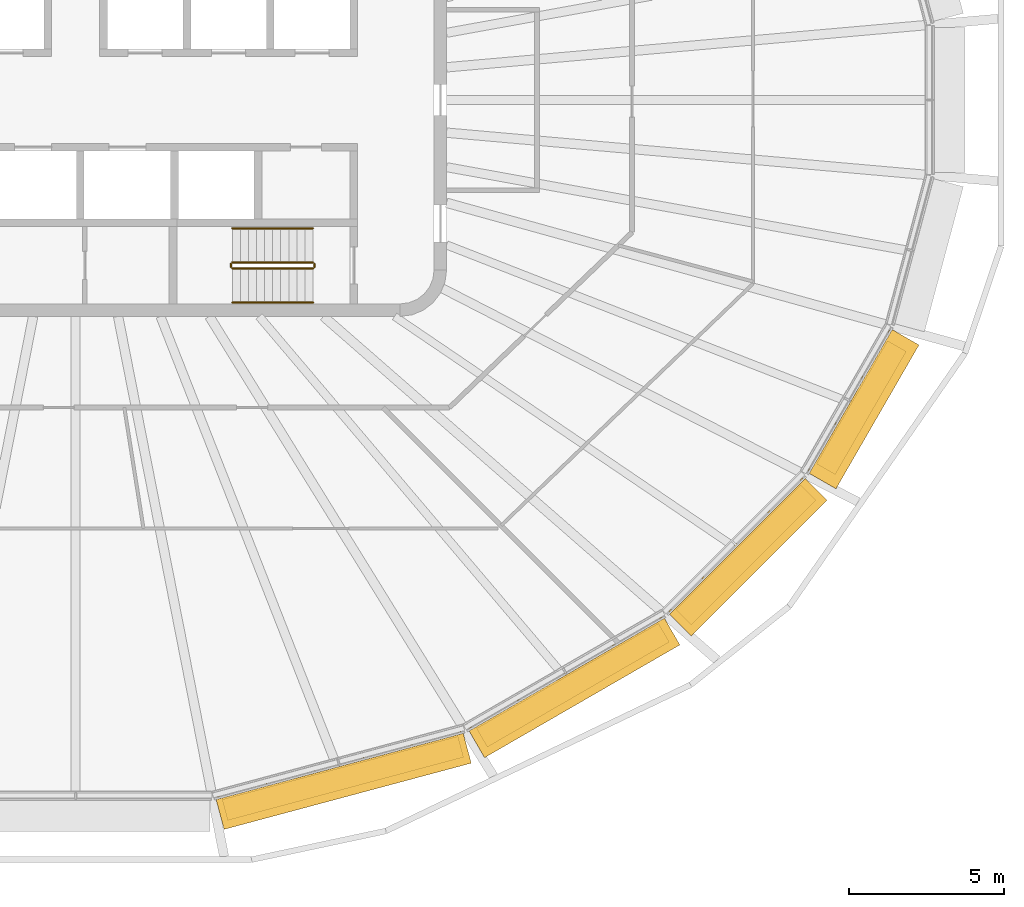
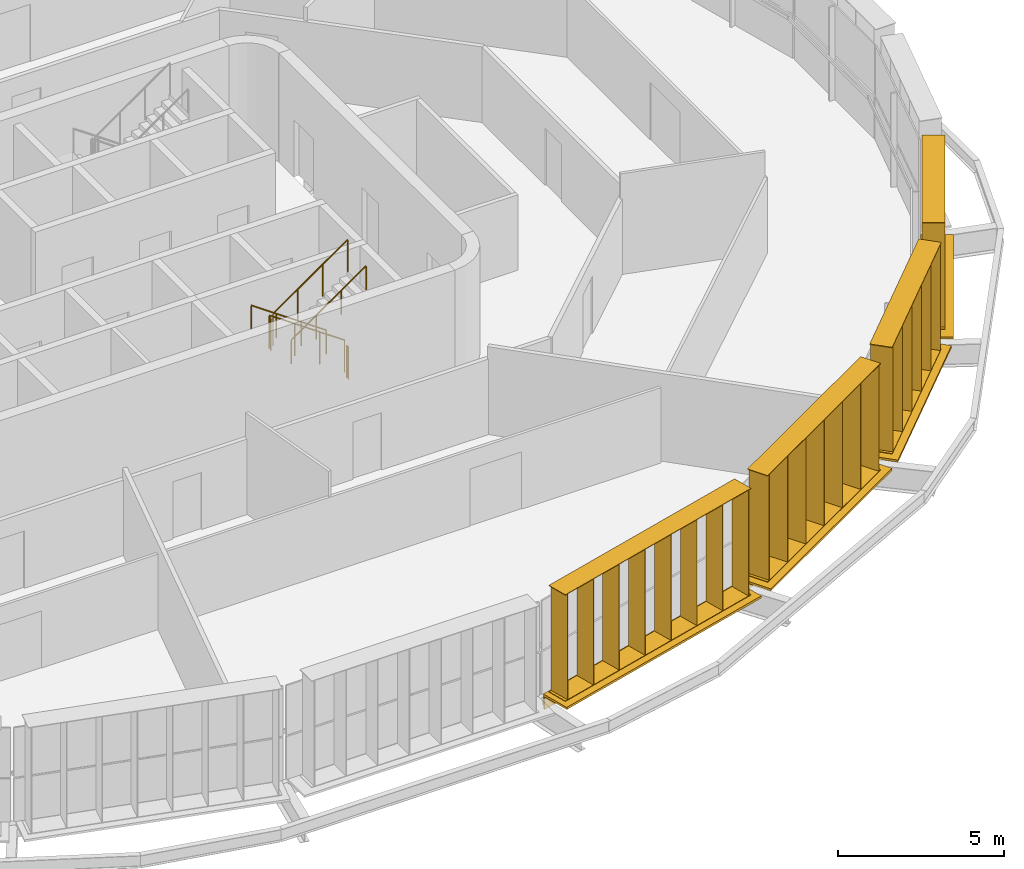
# One storey, part 16 of 18: 8 shading devices, 6 railings.
"""IFC4 building model written with IfcOpenShell, lengths in metres."""

from ifc_helpers import new_model, si_unit, direction, frame, origin, origin_2d, place, context, subcontext, project, spatial, rectangle, circle, extrude, material, type_object, element, save


model = new_model("IFC4")

# Units and contexts
model_context = context("Model", 3, precision=1e-05, world=origin(), true_north=direction((0.0, 1.0)))
body_context = subcontext(model_context, "Body", "Model", "MODEL_VIEW")
ifc_project = project(units=[si_unit("LENGTHUNIT", "METRE"), si_unit("AREAUNIT", "SQUARE_METRE"), si_unit("VOLUMEUNIT", "CUBIC_METRE"), si_unit("PLANEANGLEUNIT", "RADIAN"), si_unit("MASSUNIT", "GRAM", prefix="KILO")], contexts=[model_context])

# Site, building, storey
site_placement = place(None, origin())
site = spatial("IfcSite", under=ifc_project, at=site_placement, CompositionType="ELEMENT")
building_placement = place(site_placement, origin())
building = spatial("IfcBuilding", under=site, at=building_placement, Name="Sahrelin Media Tower", CompositionType="ELEMENT")
storey_placement = place(building_placement, frame((0.0, 0.0, 295.0)))
storey = spatial("IfcBuildingStorey", under=building, at=storey_placement, Name="L65", CompositionType="ELEMENT", Elevation=295.0)

# Shading devices
ifc_material_1 = material(Name="Champagne anodised aluminium 6063-T6", Category="aluminium")
shading_device_type_1 = type_object("IfcShadingDeviceType", Name="Fin cassette", PredefinedType="USERDEFINED", material=ifc_material_1)
placement_1 = place(storey_placement, frame((8.536865234375, -21.53857421875, 0.0), z_axis=(0.0, 0.0, 1.0), x_axis=(-0.965928857556, -0.258807731996, 0.0)))
element("IfcShadingDevice", 1, at=placement_1, inside=storey, type_object=shading_device_type_1, Name="L65:FIN:L65-19", ObjectType="FIN", PredefinedType="USERDEFINED", context=body_context, shape_type="SweptSolid", body=[
    extrude(rectangle(XDim=7.89990234375, YDim=0.699951171875, at=origin_2d()), frame((0.0, 0.419921875, 0.0)), (0.0, 0.0, 1.0), 0.02001953125),
    extrude(rectangle(XDim=7.89990234375, YDim=0.699951171875, at=origin_2d()), frame((0.0, 0.419921875, 3.89990234375)), (0.0, 0.0, 1.0), 0.02001953125),
    extrude(rectangle(XDim=0.02001953125, YDim=0.699951171875, at=origin_2d()), frame((-3.85009765625, 0.419921875, 0.010009765625), z_axis=(0.0, 0.0, 1.0), x_axis=(1.0, 0.0, 0.0)), (0.0, 0.0, 1.0), 3.89990234375),
    extrude(rectangle(XDim=0.02001953125, YDim=0.699951171875, at=origin_2d()), frame((-2.75, 0.419921875, 0.010009765625), z_axis=(0.0, 0.0, 1.0), x_axis=(1.0, 0.0, 0.0)), (0.0, 0.0, 1.0), 3.89990234375),
    extrude(rectangle(XDim=0.02001953125, YDim=0.699951171875, at=origin_2d()), frame((-1.64990234375, 0.419921875, 0.010009765625), z_axis=(0.0, 0.0, 1.0), x_axis=(1.0, 0.0, 0.0)), (0.0, 0.0, 1.0), 3.89990234375),
    extrude(rectangle(XDim=0.02001953125, YDim=0.699951171875, at=origin_2d()), frame((-0.550048828125, 0.419921875, 0.010009765625), z_axis=(0.0, 0.0, 1.0), x_axis=(1.0, 0.0, 0.0)), (0.0, 0.0, 1.0), 3.89990234375),
    extrude(rectangle(XDim=0.02001953125, YDim=0.699951171875, at=origin_2d()), frame((0.550048828125, 0.419921875, 0.010009765625), z_axis=(0.0, 0.0, 1.0), x_axis=(1.0, 0.0, 0.0)), (0.0, 0.0, 1.0), 3.89990234375),
    extrude(rectangle(XDim=0.02001953125, YDim=0.699951171875, at=origin_2d()), frame((1.64990234375, 0.419921875, 0.010009765625), z_axis=(0.0, 0.0, 1.0), x_axis=(1.0, 0.0, 0.0)), (0.0, 0.0, 1.0), 3.89990234375),
    extrude(rectangle(XDim=0.02001953125, YDim=0.699951171875, at=origin_2d()), frame((2.75, 0.419921875, 0.010009765625), z_axis=(0.0, 0.0, 1.0), x_axis=(1.0, 0.0, 0.0)), (0.0, 0.0, 1.0), 3.89990234375),
    extrude(rectangle(XDim=0.02001953125, YDim=0.699951171875, at=origin_2d()), frame((3.85009765625, 0.419921875, 0.010009765625), z_axis=(0.0, 0.0, 1.0), x_axis=(1.0, 0.0, 0.0)), (0.0, 0.0, 1.0), 3.89990234375),
])
placement_2 = place(storey_placement, frame((15.876708984375, -18.567626953125, 0.0), z_axis=(0.0, 0.0, 1.0), x_axis=(-0.866019052629, -0.500011000363, 0.0)))
element("IfcShadingDevice", 2, at=placement_2, inside=storey, type_object=shading_device_type_1, Name="L65:FIN:L65-20", ObjectType="FIN", PredefinedType="USERDEFINED", context=body_context, shape_type="SweptSolid", body=[
    extrude(rectangle(XDim=6.800048828125, YDim=0.699951171875, at=origin_2d()), frame((0.0, 0.419921875, 0.0)), (0.0, 0.0, 1.0), 0.02001953125),
    extrude(rectangle(XDim=6.800048828125, YDim=0.699951171875, at=origin_2d()), frame((0.0, 0.419921875, 3.89990234375)), (0.0, 0.0, 1.0), 0.02001953125),
    extrude(rectangle(XDim=0.02001953125, YDim=0.699951171875, at=origin_2d()), frame((-3.300048828125, 0.419921875, 0.010009765625), z_axis=(0.0, 0.0, 1.0), x_axis=(1.0, 0.0, 0.0)), (0.0, 0.0, 1.0), 3.89990234375),
    extrude(rectangle(XDim=0.02001953125, YDim=0.699951171875, at=origin_2d()), frame((-2.199951171875, 0.419921875, 0.010009765625), z_axis=(0.0, 0.0, 1.0), x_axis=(1.0, 0.0, 0.0)), (0.0, 0.0, 1.0), 3.89990234375),
    extrude(rectangle(XDim=0.02001953125, YDim=0.699951171875, at=origin_2d()), frame((-1.10009765625, 0.419921875, 0.010009765625), z_axis=(0.0, 0.0, 1.0), x_axis=(1.0, 0.0, 0.0)), (0.0, 0.0, 1.0), 3.89990234375),
    extrude(rectangle(XDim=0.02001953125, YDim=0.699951171875, at=origin_2d()), frame((0.0, 0.419921875, 0.010009765625), z_axis=(0.0, 0.0, 1.0), x_axis=(1.0, 0.0, 0.0)), (0.0, 0.0, 1.0), 3.89990234375),
    extrude(rectangle(XDim=0.02001953125, YDim=0.699951171875, at=origin_2d()), frame((1.10009765625, 0.419921875, 0.010009765625), z_axis=(0.0, 0.0, 1.0), x_axis=(1.0, 0.0, 0.0)), (0.0, 0.0, 1.0), 3.89990234375),
    extrude(rectangle(XDim=0.02001953125, YDim=0.699951171875, at=origin_2d()), frame((2.199951171875, 0.419921875, 0.010009765625), z_axis=(0.0, 0.0, 1.0), x_axis=(1.0, 0.0, 0.0)), (0.0, 0.0, 1.0), 3.89990234375),
    extrude(rectangle(XDim=0.02001953125, YDim=0.699951171875, at=origin_2d()), frame((3.300048828125, 0.419921875, 0.010009765625), z_axis=(0.0, 0.0, 1.0), x_axis=(1.0, 0.0, 0.0)), (0.0, 0.0, 1.0), 3.89990234375),
])
placement_3 = place(storey_placement, frame((21.39208984375, -14.423828125, 0.0), z_axis=(0.0, 0.0, 1.0), x_axis=(-0.707106781187, -0.707106781187, 0.0)))
element("IfcShadingDevice", 3, at=placement_3, inside=storey, type_object=shading_device_type_1, Name="L65:FIN:L65-21", ObjectType="FIN", PredefinedType="USERDEFINED", context=body_context, shape_type="SweptSolid", body=[
    extrude(rectangle(XDim=5.699951171875, YDim=0.699951171875, at=origin_2d()), frame((0.0, 0.419921875, 0.0)), (0.0, 0.0, 1.0), 0.02001953125),
    extrude(rectangle(XDim=5.699951171875, YDim=0.699951171875, at=origin_2d()), frame((0.0, 0.419921875, 3.89990234375)), (0.0, 0.0, 1.0), 0.02001953125),
    extrude(rectangle(XDim=0.02001953125, YDim=0.699951171875, at=origin_2d()), frame((-2.75, 0.419921875, 0.010009765625), z_axis=(0.0, 0.0, 1.0), x_axis=(1.0, 0.0, 0.0)), (0.0, 0.0, 1.0), 3.89990234375),
    extrude(rectangle(XDim=0.02001953125, YDim=0.699951171875, at=origin_2d()), frame((-1.64990234375, 0.419921875, 0.010009765625), z_axis=(0.0, 0.0, 1.0), x_axis=(1.0, 0.0, 0.0)), (0.0, 0.0, 1.0), 3.89990234375),
    extrude(rectangle(XDim=0.02001953125, YDim=0.699951171875, at=origin_2d()), frame((-0.550048828125, 0.419921875, 0.010009765625), z_axis=(0.0, 0.0, 1.0), x_axis=(1.0, 0.0, 0.0)), (0.0, 0.0, 1.0), 3.89990234375),
    extrude(rectangle(XDim=0.02001953125, YDim=0.699951171875, at=origin_2d()), frame((0.550048828125, 0.419921875, 0.010009765625), z_axis=(0.0, 0.0, 1.0), x_axis=(1.0, 0.0, 0.0)), (0.0, 0.0, 1.0), 3.89990234375),
    extrude(rectangle(XDim=0.02001953125, YDim=0.699951171875, at=origin_2d()), frame((1.64990234375, 0.419921875, 0.010009765625), z_axis=(0.0, 0.0, 1.0), x_axis=(1.0, 0.0, 0.0)), (0.0, 0.0, 1.0), 3.89990234375),
    extrude(rectangle(XDim=0.02001953125, YDim=0.699951171875, at=origin_2d()), frame((2.75, 0.419921875, 0.010009765625), z_axis=(0.0, 0.0, 1.0), x_axis=(1.0, 0.0, 0.0)), (0.0, 0.0, 1.0), 3.89990234375),
])
placement_4 = place(storey_placement, frame((25.054931640625, -9.74169921875, 0.0), z_axis=(0.0, 0.0, 1.0), x_axis=(-0.500011000363, -0.866019052629, 0.0)))
element("IfcShadingDevice", 4, at=placement_4, inside=storey, type_object=shading_device_type_1, Name="L65:FIN:L65-22", ObjectType="FIN", PredefinedType="USERDEFINED", context=body_context, shape_type="SweptSolid", body=[
    extrude(rectangle(XDim=4.60009765625, YDim=0.699951171875, at=origin_2d()), frame((0.0, 0.419921875, 0.0)), (0.0, 0.0, 1.0), 0.02001953125),
    extrude(rectangle(XDim=4.60009765625, YDim=0.699951171875, at=origin_2d()), frame((0.0, 0.419921875, 3.89990234375)), (0.0, 0.0, 1.0), 0.02001953125),
    extrude(rectangle(XDim=0.02001953125, YDim=0.699951171875, at=origin_2d()), frame((-2.199951171875, 0.419921875, 0.010009765625), z_axis=(0.0, 0.0, 1.0), x_axis=(1.0, 0.0, 0.0)), (0.0, 0.0, 1.0), 3.89990234375),
    extrude(rectangle(XDim=0.02001953125, YDim=0.699951171875, at=origin_2d()), frame((-1.10009765625, 0.419921875, 0.010009765625), z_axis=(0.0, 0.0, 1.0), x_axis=(1.0, 0.0, 0.0)), (0.0, 0.0, 1.0), 3.89990234375),
    extrude(rectangle(XDim=0.02001953125, YDim=0.699951171875, at=origin_2d()), frame((0.0, 0.419921875, 0.010009765625), z_axis=(0.0, 0.0, 1.0), x_axis=(1.0, 0.0, 0.0)), (0.0, 0.0, 1.0), 3.89990234375),
    extrude(rectangle(XDim=0.02001953125, YDim=0.699951171875, at=origin_2d()), frame((1.10009765625, 0.419921875, 0.010009765625), z_axis=(0.0, 0.0, 1.0), x_axis=(1.0, 0.0, 0.0)), (0.0, 0.0, 1.0), 3.89990234375),
    extrude(rectangle(XDim=0.02001953125, YDim=0.699951171875, at=origin_2d()), frame((2.199951171875, 0.419921875, 0.010009765625), z_axis=(0.0, 0.0, 1.0), x_axis=(1.0, 0.0, 0.0)), (0.0, 0.0, 1.0), 3.89990234375),
])

# Railings
ifc_material_2 = material(Name="Steel S355", Category="steel")
railing_type_1 = type_object("IfcRailingType", Name="Stair guard 1200", PredefinedType="GUARDRAIL", material=ifc_material_2)
railing_1_placement = place(storey_placement, frame((7.675048828125, -5.25, 0.181884765625)))
element("IfcRailing", 5, at=railing_1_placement, inside=storey, type_object=railing_type_1, Name="L65 ST2 stair guard 1", PredefinedType="GUARDRAIL", context=body_context, shape_type="SweptSolid", body=[
    extrude(circle(Radius=0.02392578125, at=origin_2d()), frame((0.0, 0.0, 1.17578125), z_axis=(-0.819521025635, 0.0, 0.573049115296), x_axis=(0.0, -1.0, 0.0)), (0.0, 0.0, 1.0), 3.172607421875),
    extrude(circle(Radius=0.02099609375, at=origin_2d()), origin(), (0.0, 0.0, 1.0), 1.15185546875),
    extrude(circle(Radius=0.02099609375, at=origin_2d()), frame((-0.86669921875, 0.0, 0.60595703125)), (0.0, 0.0, 1.0), 1.15185546875),
    extrude(circle(Radius=0.02099609375, at=origin_2d()), frame((-1.7333984375, 0.0, 1.212158203125)), (0.0, 0.0, 1.0), 1.15185546875),
    extrude(circle(Radius=0.02099609375, at=origin_2d()), frame((-2.60009765625, 0.0, 1.818115234375)), (0.0, 0.0, 1.0), 1.15185546875),
])
railing_2_placement = place(storey_placement, frame((5.02490234375, -5.300048828125, 2.0)))
element("IfcRailing", 6, at=railing_2_placement, inside=storey, type_object=railing_type_1, Name="L65 ST2 stair guard 2", PredefinedType="GUARDRAIL", context=body_context, shape_type="SweptSolid", body=[
    extrude(circle(Radius=0.02392578125, at=origin_2d()), frame((0.0, 0.0, 1.17578125), z_axis=(0.0, -1.0, 0.0), x_axis=(1.0, 0.0, 0.0)), (0.0, 0.0, 1.0), 0.099853515625),
    extrude(circle(Radius=0.02099609375, at=origin_2d()), origin(), (0.0, 0.0, 1.0), 1.15185546875),
    extrude(circle(Radius=0.02099609375, at=origin_2d()), frame((0.0, -0.099853515625, 0.0)), (0.0, 0.0, 1.0), 1.15185546875),
])
railing_3_placement = place(storey_placement, frame((5.074951171875, -5.449951171875, 2.181884765625)))
element("IfcRailing", 7, at=railing_3_placement, inside=storey, type_object=railing_type_1, Name="L65 ST2 stair guard 3", PredefinedType="GUARDRAIL", context=body_context, shape_type="SweptSolid", body=[
    extrude(circle(Radius=0.02392578125, at=origin_2d()), frame((0.0, 0.0, 1.17578125), z_axis=(0.819521025635, 0.0, 0.573049115296), x_axis=(0.0, 1.0, 0.0)), (0.0, 0.0, 1.0), 3.172607421875),
    extrude(circle(Radius=0.02099609375, at=origin_2d()), origin(), (0.0, 0.0, 1.0), 1.15185546875),
    extrude(circle(Radius=0.02099609375, at=origin_2d()), frame((0.86669921875, 0.0, 0.60595703125)), (0.0, 0.0, 1.0), 1.15185546875),
    extrude(circle(Radius=0.02099609375, at=origin_2d()), frame((1.7333984375, 0.0, 1.212158203125)), (0.0, 0.0, 1.0), 1.15185546875),
    extrude(circle(Radius=0.02099609375, at=origin_2d()), frame((2.60009765625, 0.0, 1.818115234375)), (0.0, 0.0, 1.0), 1.15185546875),
])
railing_4_placement = place(storey_placement, frame((7.72509765625, -5.300048828125, 0.0)))
element("IfcRailing", 8, at=railing_4_placement, inside=storey, type_object=railing_type_1, Name="L65 ST2 stair guard 4", PredefinedType="GUARDRAIL", context=body_context, shape_type="SweptSolid", body=[
    extrude(circle(Radius=0.02392578125, at=origin_2d()), frame((0.0, 0.0, 1.17578125), z_axis=(0.0, -1.0, 0.0), x_axis=(1.0, 0.0, 0.0)), (0.0, 0.0, 1.0), 0.099853515625),
    extrude(circle(Radius=0.02099609375, at=origin_2d()), origin(), (0.0, 0.0, 1.0), 1.15185546875),
    extrude(circle(Radius=0.02099609375, at=origin_2d()), frame((0.0, -0.099853515625, 0.0)), (0.0, 0.0, 1.0), 1.15185546875),
])
railing_type_2 = type_object("IfcRailingType", Name="Stair handrail 900", PredefinedType="HANDRAIL", material=ifc_material_2)
railing_5_placement = place(storey_placement, frame((7.675048828125, -4.14990234375, 0.181884765625)))
element("IfcRailing", 9, at=railing_5_placement, inside=storey, type_object=railing_type_2, Name="L65 ST2 stair handrail 1", PredefinedType="HANDRAIL", context=body_context, shape_type="SweptSolid", body=[
    extrude(circle(Radius=0.02392578125, at=origin_2d()), frame((0.0, 0.0, 0.8759765625), z_axis=(-0.819521025635, 0.0, 0.573049115296), x_axis=(0.0, -1.0, 0.0)), (0.0, 0.0, 1.0), 3.172607421875),
    extrude(circle(Radius=0.02099609375, at=origin_2d()), origin(), (0.0, 0.0, 1.0), 0.851806640625),
    extrude(circle(Radius=0.02099609375, at=origin_2d()), frame((-0.86669921875, 0.0, 0.60595703125)), (0.0, 0.0, 1.0), 0.851806640625),
    extrude(circle(Radius=0.02099609375, at=origin_2d()), frame((-1.7333984375, 0.0, 1.212158203125)), (0.0, 0.0, 1.0), 0.851806640625),
    extrude(circle(Radius=0.02099609375, at=origin_2d()), frame((-2.60009765625, 0.0, 1.818115234375)), (0.0, 0.0, 1.0), 0.851806640625),
])
railing_6_placement = place(storey_placement, frame((5.074951171875, -6.550048828125, 2.181884765625)))
element("IfcRailing", 10, at=railing_6_placement, inside=storey, type_object=railing_type_2, Name="L65 ST2 stair handrail 2", PredefinedType="HANDRAIL", context=body_context, shape_type="SweptSolid", body=[
    extrude(circle(Radius=0.02392578125, at=origin_2d()), frame((0.0, 0.0, 0.8759765625), z_axis=(0.819521025635, 0.0, 0.573049115296), x_axis=(0.0, 1.0, 0.0)), (0.0, 0.0, 1.0), 3.172607421875),
    extrude(circle(Radius=0.02099609375, at=origin_2d()), origin(), (0.0, 0.0, 1.0), 0.851806640625),
    extrude(circle(Radius=0.02099609375, at=origin_2d()), frame((0.86669921875, 0.0, 0.60595703125)), (0.0, 0.0, 1.0), 0.851806640625),
    extrude(circle(Radius=0.02099609375, at=origin_2d()), frame((1.7333984375, 0.0, 1.212158203125)), (0.0, 0.0, 1.0), 0.851806640625),
    extrude(circle(Radius=0.02099609375, at=origin_2d()), frame((2.60009765625, 0.0, 1.818115234375)), (0.0, 0.0, 1.0), 0.851806640625),
])

# Shading devices
shading_device_type_2 = type_object("IfcShadingDeviceType", Name="Sunshade band", PredefinedType="USERDEFINED", material=ifc_material_1)
element("IfcShadingDevice", 11, at=placement_1, inside=storey, type_object=shading_device_type_2, Name="L65:SUN:L65-19", ObjectType="SUNSHADE", PredefinedType="USERDEFINED", context=body_context, shape_type="SweptSolid", body=[
    extrude(rectangle(XDim=8.2763671875, YDim=0.050048828125, at=origin_2d()), frame((0.0, 0.044921875, -0.55126953125)), (0.0, 0.0, 1.0), 0.471435546875),
    extrude(rectangle(XDim=8.2763671875, YDim=1.0, at=origin_2d()), frame((0.0, 0.52001953125, -0.080078125)), (0.0, 0.0, 1.0), 0.080078125),
    extrude(rectangle(XDim=0.10009765625, YDim=0.074951171875, at=origin_2d()), frame((-4.0380859375, -0.017578125, -0.47021484375)), (0.0, 0.0, 1.0), 0.300048828125),
    extrude(rectangle(XDim=0.10009765625, YDim=0.074951171875, at=origin_2d()), frame((-2.4228515625, -0.017578125, -0.47021484375)), (0.0, 0.0, 1.0), 0.300048828125),
    extrude(rectangle(XDim=0.10009765625, YDim=0.074951171875, at=origin_2d()), frame((-0.8076171875, -0.017578125, -0.47021484375)), (0.0, 0.0, 1.0), 0.300048828125),
    extrude(rectangle(XDim=0.10009765625, YDim=0.074951171875, at=origin_2d()), frame((0.8076171875, -0.017578125, -0.47021484375)), (0.0, 0.0, 1.0), 0.300048828125),
    extrude(rectangle(XDim=0.10009765625, YDim=0.074951171875, at=origin_2d()), frame((2.4228515625, -0.017578125, -0.47021484375)), (0.0, 0.0, 1.0), 0.300048828125),
    extrude(rectangle(XDim=0.10009765625, YDim=0.074951171875, at=origin_2d()), frame((4.0380859375, -0.017578125, -0.47021484375)), (0.0, 0.0, 1.0), 0.300048828125),
])
element("IfcShadingDevice", 12, at=placement_2, inside=storey, type_object=shading_device_type_2, Name="L65:SUN:L65-20", ObjectType="SUNSHADE", PredefinedType="USERDEFINED", context=body_context, shape_type="SweptSolid", body=[
    extrude(rectangle(XDim=7.2958984375, YDim=0.050048828125, at=origin_2d()), frame((0.0, 0.044921875, -0.55126953125)), (0.0, 0.0, 1.0), 0.471435546875),
    extrude(rectangle(XDim=7.2958984375, YDim=1.0, at=origin_2d()), frame((0.0, 0.52001953125, -0.080078125)), (0.0, 0.0, 1.0), 0.080078125),
    extrude(rectangle(XDim=0.10009765625, YDim=0.074951171875, at=origin_2d()), frame((-3.548095703125, -0.017578125, -0.47021484375)), (0.0, 0.0, 1.0), 0.300048828125),
    extrude(rectangle(XDim=0.10009765625, YDim=0.074951171875, at=origin_2d()), frame((-1.77392578125, -0.017578125, -0.47021484375)), (0.0, 0.0, 1.0), 0.300048828125),
    extrude(rectangle(XDim=0.10009765625, YDim=0.074951171875, at=origin_2d()), frame((0.0, -0.017578125, -0.47021484375)), (0.0, 0.0, 1.0), 0.300048828125),
    extrude(rectangle(XDim=0.10009765625, YDim=0.074951171875, at=origin_2d()), frame((1.77392578125, -0.017578125, -0.47021484375)), (0.0, 0.0, 1.0), 0.300048828125),
    extrude(rectangle(XDim=0.10009765625, YDim=0.074951171875, at=origin_2d()), frame((3.548095703125, -0.017578125, -0.47021484375)), (0.0, 0.0, 1.0), 0.300048828125),
])
element("IfcShadingDevice", 13, at=placement_3, inside=storey, type_object=shading_device_type_2, Name="L65:SUN:L65-21", ObjectType="SUNSHADE", PredefinedType="USERDEFINED", context=body_context, shape_type="SweptSolid", body=[
    extrude(rectangle(XDim=6.22021484375, YDim=0.050048828125, at=origin_2d()), frame((0.0, 0.044921875, -0.55126953125)), (0.0, 0.0, 1.0), 0.471435546875),
    extrude(rectangle(XDim=6.22021484375, YDim=1.0, at=origin_2d()), frame((0.0, 0.52001953125, -0.080078125)), (0.0, 0.0, 1.0), 0.080078125),
    extrude(rectangle(XDim=0.10009765625, YDim=0.074951171875, at=origin_2d()), frame((-3.010009765625, -0.017578125, -0.47021484375)), (0.0, 0.0, 1.0), 0.300048828125),
    extrude(rectangle(XDim=0.10009765625, YDim=0.074951171875, at=origin_2d()), frame((-1.5048828125, -0.017578125, -0.47021484375)), (0.0, 0.0, 1.0), 0.300048828125),
    extrude(rectangle(XDim=0.10009765625, YDim=0.074951171875, at=origin_2d()), frame((0.0, -0.017578125, -0.47021484375)), (0.0, 0.0, 1.0), 0.300048828125),
    extrude(rectangle(XDim=0.10009765625, YDim=0.074951171875, at=origin_2d()), frame((1.5048828125, -0.017578125, -0.47021484375)), (0.0, 0.0, 1.0), 0.300048828125),
    extrude(rectangle(XDim=0.10009765625, YDim=0.074951171875, at=origin_2d()), frame((3.010009765625, -0.017578125, -0.47021484375)), (0.0, 0.0, 1.0), 0.300048828125),
])
element("IfcShadingDevice", 14, at=placement_4, inside=storey, type_object=shading_device_type_2, Name="L65:SUN:L65-22", ObjectType="SUNSHADE", PredefinedType="USERDEFINED", context=body_context, shape_type="SweptSolid", body=[
    extrude(rectangle(XDim=5.370849609375, YDim=0.050048828125, at=origin_2d()), frame((0.0, 0.044921875, -0.55126953125)), (0.0, 0.0, 1.0), 0.471435546875),
    extrude(rectangle(XDim=5.370849609375, YDim=1.0, at=origin_2d()), frame((0.0, 0.52001953125, -0.080078125)), (0.0, 0.0, 1.0), 0.080078125),
    extrude(rectangle(XDim=0.10009765625, YDim=0.074951171875, at=origin_2d()), frame((-2.58544921875, -0.017578125, -0.47021484375)), (0.0, 0.0, 1.0), 0.300048828125),
    extrude(rectangle(XDim=0.10009765625, YDim=0.074951171875, at=origin_2d()), frame((-0.86181640625, -0.017578125, -0.47021484375)), (0.0, 0.0, 1.0), 0.300048828125),
    extrude(rectangle(XDim=0.10009765625, YDim=0.074951171875, at=origin_2d()), frame((0.86181640625, -0.017578125, -0.47021484375)), (0.0, 0.0, 1.0), 0.300048828125),
    extrude(rectangle(XDim=0.10009765625, YDim=0.074951171875, at=origin_2d()), frame((2.58544921875, -0.017578125, -0.47021484375)), (0.0, 0.0, 1.0), 0.300048828125),
])

save(model, "model.ifc")
